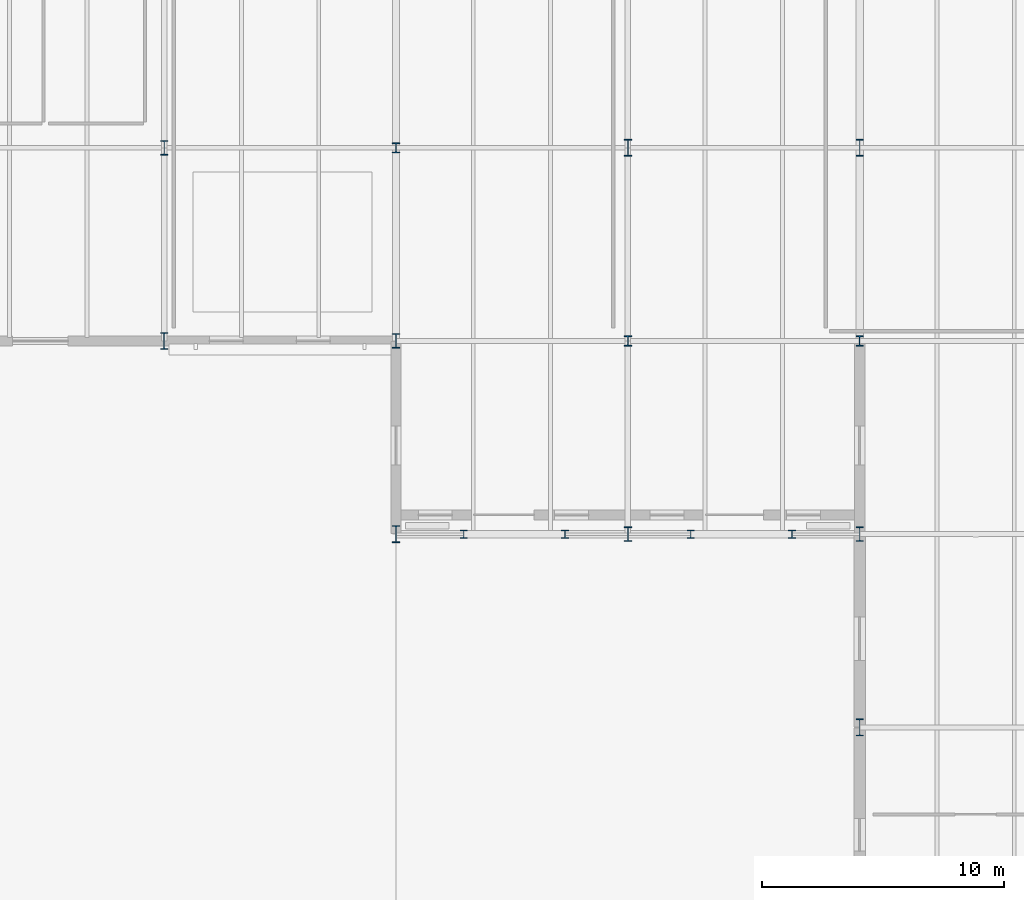
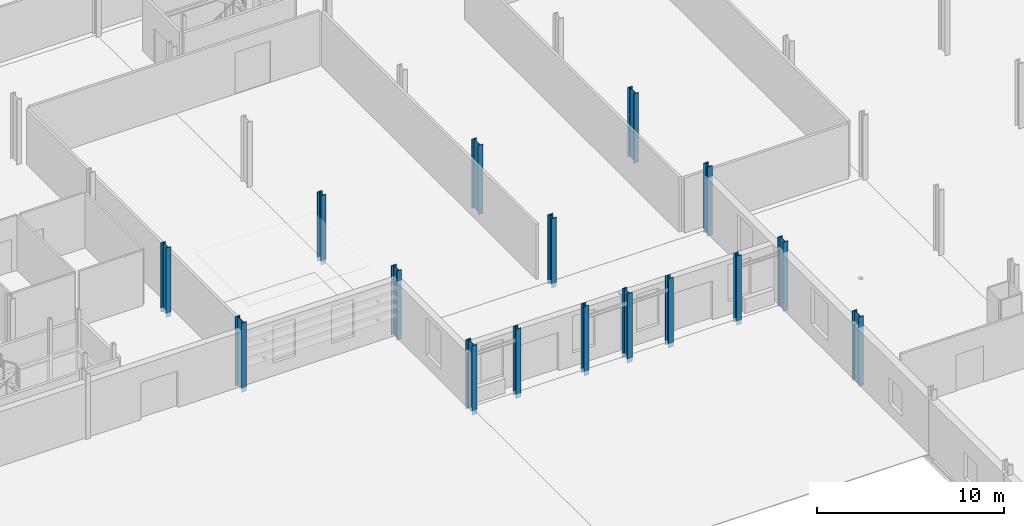
# One storey, part 3 of 78: 16 columns.
"""IFC4 building model written with IfcOpenShell, lengths in metres."""

from ifc_helpers import new_model, si_unit, direction, frame, origin, origin_2d, place, context, subcontext, project, spatial, i_section, extrude, material, material_profile, profile_set, type_object, element, save


model = new_model("IFC4")

# Units and contexts
model_context = context("Model", 3, precision=1e-05, world=origin(), true_north=direction((0.0, 1.0)))
body_context = subcontext(model_context, "Body", "Model", "MODEL_VIEW")
ifc_project = project(units=[si_unit("LENGTHUNIT", "METRE"), si_unit("AREAUNIT", "SQUARE_METRE"), si_unit("VOLUMEUNIT", "CUBIC_METRE"), si_unit("PLANEANGLEUNIT", "RADIAN"), si_unit("MASSUNIT", "GRAM", prefix="KILO")], contexts=[model_context])

# Site, building, storey
site_placement = place(None, origin())
site = spatial("IfcSite", under=ifc_project, at=site_placement, CompositionType="ELEMENT")
building_placement = place(site_placement, origin())
building = spatial("IfcBuilding", under=site, at=building_placement, Name="Alderhovde Museum", CompositionType="ELEMENT")
storey_placement = place(building_placement, origin())
storey = spatial("IfcBuildingStorey", under=building, at=storey_placement, Name="L00", CompositionType="ELEMENT", Elevation=0.0)

# Columns
ifc_material_1 = material(Name="Steel S355J2", Category="steel")
ifc_material_profile_1 = material_profile(ifc_material_1, i_section(OverallWidth=0.300048828125, OverallDepth=0.340087890625, WebThickness=0.011962890625, FlangeThickness=0.021484375, FilletRadius=0.027099609375, at=origin_2d()), Name="HEB 340")
ifc_profile_set_1 = profile_set([ifc_material_profile_1], Name="Steel S355J2")
column_type_1 = type_object("IfcColumnType", Name="COL-HEB340", PredefinedType="COLUMN", material=ifc_profile_set_1)
for number, where, z_axis, x_axis, name in (
    (1, (50.800048828125, 40.0, -0.280029296875), (0.0, 0.0, 1.0), (1.0, 0.0, 0.0), "L00 Beaux-Arts Portico Colonnade Column X=50.8"),
    (2, (55.0, 40.0, -0.280029296875), (0.0, 0.0, 1.0), (1.0, 0.0, 0.0), "L00 Beaux-Arts Portico Colonnade Column X=55.0"),
    (3, (60.199951171875, 40.0, -0.280029296875), (0.0, 0.0, 1.0), (1.0, 0.0, 0.0), "L00 Beaux-Arts Portico Colonnade Column X=60.2"),
    (4, (64.39990234375, 40.0, -0.280029296875), (0.0, 0.0, 1.0), (1.0, 0.0, 0.0), "L00 Beaux-Arts Portico Colonnade Column X=64.4"),
):
    element("IfcColumn", number, at=place(storey_placement, frame(where, z_axis=z_axis, x_axis=x_axis)), inside=storey, type_object=column_type_1, Name=name, PredefinedType="COLUMN", context=body_context, shape_type="SweptSolid", body=[
        extrude(i_section(OverallWidth=0.300048828125, OverallDepth=0.340087890625, WebThickness=0.011962890625, FlangeThickness=0.021484375, FilletRadius=0.027099609375, at=origin_2d()), origin(), (0.0, 0.0, 1.0), 4.52001953125),
    ])
ifc_material_2 = material(Name="Steel S355J2", Category="steel")
ifc_material_profile_2 = material_profile(ifc_material_2, i_section(OverallWidth=0.300048828125, OverallDepth=0.60009765625, WebThickness=0.015380859375, FlangeThickness=0.030029296875, FilletRadius=0.027099609375, at=origin_2d()), Name="HEB 600")
ifc_profile_set_2 = profile_set([ifc_material_profile_2], Name="Steel S355J2")
column_type_2 = type_object("IfcColumnType", Name="COL-HEB600", PredefinedType="COLUMN", material=ifc_profile_set_2)
for number, where, z_axis, x_axis, name in (
    (5, (38.39990234375, 56.0, -0.280029296875), (0.0, 0.0, 1.0), (1.0, 0.0, 0.0), "L00 Column (38.4, 56.0)"),
    (6, (48.0, 48.0, -0.280029296875), (0.0, 0.0, 1.0), (1.0, 0.0, 0.0), "L00 Column (48.0, 48.0)"),
    (7, (57.60009765625, 40.0, -0.280029296875), (0.0, 0.0, 1.0), (1.0, 0.0, 0.0), "L00 Column (57.6, 40.0)"),
    (8, (67.199951171875, 40.0, -0.280029296875), (0.0, 0.0, 1.0), (1.0, 0.0, 0.0), "L00 Column (67.2, 40.0)"),
):
    element("IfcColumn", number, at=place(storey_placement, frame(where, z_axis=z_axis, x_axis=x_axis)), inside=storey, type_object=column_type_2, Name=name, PredefinedType="COLUMN", context=body_context, shape_type="SweptSolid", body=[
        extrude(i_section(OverallWidth=0.300048828125, OverallDepth=0.60009765625, WebThickness=0.015380859375, FlangeThickness=0.030029296875, FilletRadius=0.027099609375, at=origin_2d()), origin(), (0.0, 0.0, 1.0), 4.52001953125),
    ])
ifc_material_3 = material(Name="Steel S355J2", Category="steel")
ifc_material_profile_3 = material_profile(ifc_material_3, i_section(OverallWidth=0.300048828125, OverallDepth=0.699951171875, WebThickness=0.01708984375, FlangeThickness=0.031982421875, FilletRadius=0.027099609375, at=origin_2d()), Name="HEB 700")
ifc_profile_set_3 = profile_set([ifc_material_profile_3], Name="Steel S355J2")
column_type_3 = type_object("IfcColumnType", Name="COL-HEB700", PredefinedType="COLUMN", material=ifc_profile_set_3)
for number, where, z_axis, x_axis, name in (
    (9, (38.39990234375, 48.0, -0.280029296875), (0.0, 0.0, 1.0), (1.0, 0.0, 0.0), "L00 Column (38.4, 48.0)"),
    (10, (48.0, 40.0, -0.280029296875), (0.0, 0.0, 1.0), (1.0, 0.0, 0.0), "L00 Column (48.0, 40.0)"),
    (11, (57.60009765625, 56.0, -0.280029296875), (0.0, 0.0, 1.0), (1.0, 0.0, 0.0), "L00 Column (57.6, 56.0)"),
    (12, (67.199951171875, 32.0, -0.280029296875), (0.0, 0.0, 1.0), (1.0, 0.0, 0.0), "L00 Column (67.2, 32.0)"),
    (13, (67.199951171875, 56.0, -0.280029296875), (0.0, 0.0, 1.0), (1.0, 0.0, 0.0), "L00 Column (67.2, 56.0)"),
):
    element("IfcColumn", number, at=place(storey_placement, frame(where, z_axis=z_axis, x_axis=x_axis)), inside=storey, type_object=column_type_3, Name=name, PredefinedType="COLUMN", context=body_context, shape_type="SweptSolid", body=[
        extrude(i_section(OverallWidth=0.300048828125, OverallDepth=0.699951171875, WebThickness=0.01708984375, FlangeThickness=0.031982421875, FilletRadius=0.027099609375, at=origin_2d()), origin(), (0.0, 0.0, 1.0), 4.52001953125),
    ])
ifc_material_4 = material(Name="Steel S355J2", Category="steel")
ifc_material_profile_4 = material_profile(ifc_material_4, i_section(OverallWidth=0.306884765625, OverallDepth=0.431884765625, WebThickness=0.02099609375, FlangeThickness=0.0400390625, FilletRadius=0.027099609375, at=origin_2d()), Name="HEM 400")
ifc_profile_set_4 = profile_set([ifc_material_profile_4], Name="Steel S355J2")
column_type_4 = type_object("IfcColumnType", Name="COL-HEM400", PredefinedType="COLUMN", material=ifc_profile_set_4)
for number, where, z_axis, x_axis, name in (
    (14, (48.0, 56.0, -0.280029296875), (0.0, 0.0, 1.0), (1.0, 0.0, 0.0), "L00 Column (48.0, 56.0)"),
    (15, (57.60009765625, 48.0, -0.280029296875), (0.0, 0.0, 1.0), (1.0, 0.0, 0.0), "L00 Column (57.6, 48.0)"),
    (16, (67.199951171875, 48.0, -0.280029296875), (0.0, 0.0, 1.0), (1.0, 0.0, 0.0), "L00 Column (67.2, 48.0)"),
):
    element("IfcColumn", number, at=place(storey_placement, frame(where, z_axis=z_axis, x_axis=x_axis)), inside=storey, type_object=column_type_4, Name=name, PredefinedType="COLUMN", context=body_context, shape_type="SweptSolid", body=[
        extrude(i_section(OverallWidth=0.306884765625, OverallDepth=0.431884765625, WebThickness=0.02099609375, FlangeThickness=0.0400390625, FilletRadius=0.027099609375, at=origin_2d()), origin(), (0.0, 0.0, 1.0), 4.52001953125),
    ])

save(model, "model.ifc")
